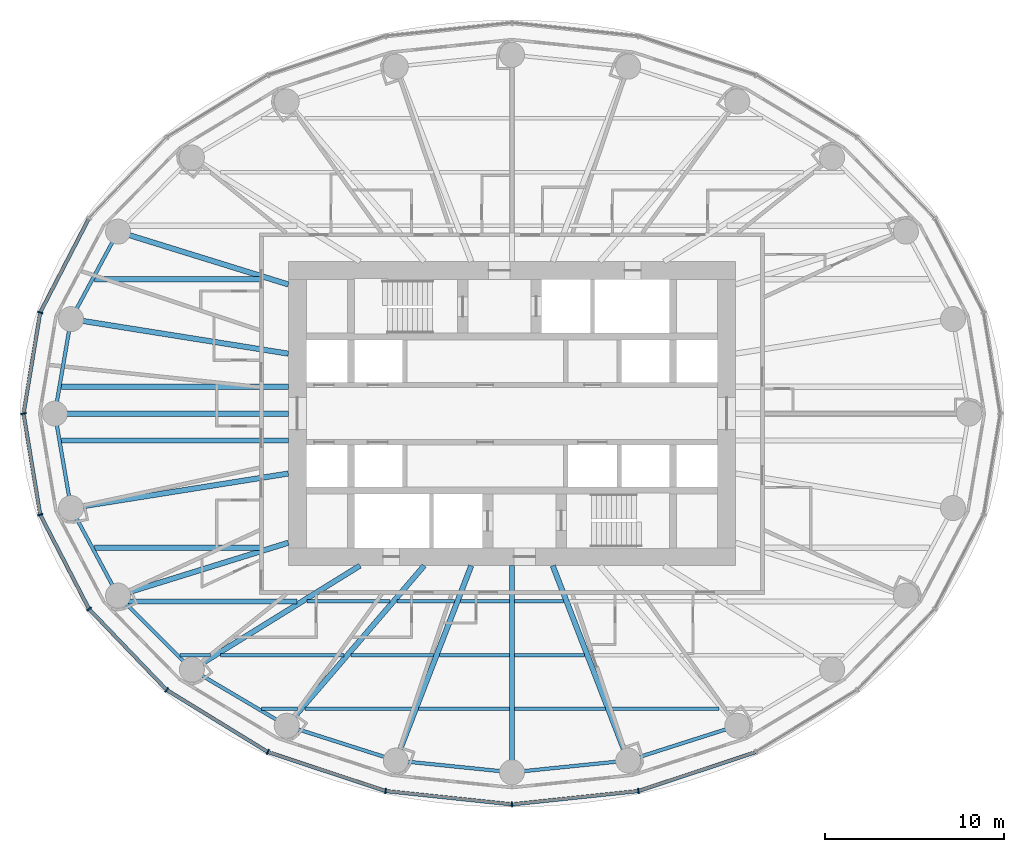
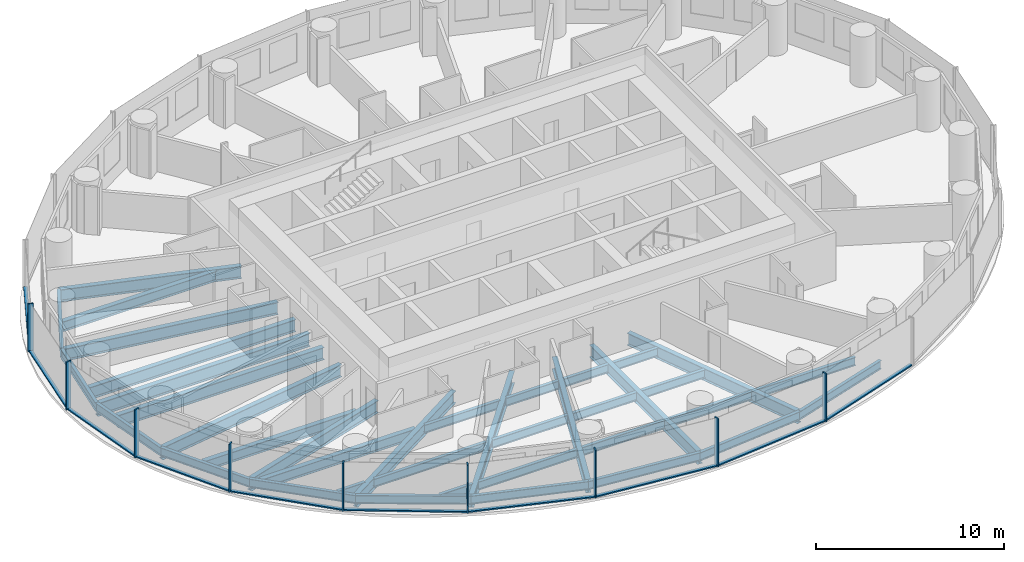
# One storey, part 2 of 13: 39 beams, 19 members, 3 elements without a shape of their own.
"""IFC4 building model written with IfcOpenShell, lengths in metres."""

from ifc_helpers import new_model, si_unit, direction, frame, origin, origin_2d, place, context, subcontext, project, spatial, rectangle, i_section, extrude, material, material_profile, profile_set, type_object, element, aggregate, save


model = new_model("IFC4")

# Units and contexts
model_context = context("Model", 3, precision=1e-05, world=origin(), true_north=direction((0.0, 1.0)))
body_context = subcontext(model_context, "Body", "Model", "MODEL_VIEW")
ifc_project = project(units=[si_unit("LENGTHUNIT", "METRE"), si_unit("AREAUNIT", "SQUARE_METRE"), si_unit("VOLUMEUNIT", "CUBIC_METRE"), si_unit("PLANEANGLEUNIT", "RADIAN"), si_unit("MASSUNIT", "GRAM", prefix="KILO")], contexts=[model_context])

# Site, building, storey
site_placement = place(None, origin())
site = spatial("IfcSite", under=ifc_project, at=site_placement, CompositionType="ELEMENT")
building_placement = place(site_placement, origin())
building = spatial("IfcBuilding", under=site, at=building_placement, Name="Hankou Lantern Tower", CompositionType="ELEMENT")
storey_placement = place(building_placement, frame((0.0, 0.0, 83.699951171875)))
storey = spatial("IfcBuildingStorey", under=building, at=storey_placement, Name="L21", CompositionType="ELEMENT", Elevation=83.699951171875)

# Beams
ifc_material_1 = material(Name="Steel Q355B", Category="steel")
ifc_material_profile_1 = material_profile(ifc_material_1, i_section(OverallWidth=0.199951171875, OverallDepth=0.550048828125, WebThickness=0.010009765625, FlangeThickness=0.01611328125, FilletRadius=0.012939453125, at=origin_2d()), Name="HN550x200x10x16")
ifc_profile_set_1 = profile_set([ifc_material_profile_1], Name="Steel Q355B")
beam_type_1 = type_object("IfcBeamType", Name="EB6 RING BEAM HN550x200x10x16", PredefinedType="SPANDREL", material=ifc_profile_set_1)
beam_1_placement = place(storey_placement, frame((-22.01904296875, 10.170166015625, -0.454833984375), z_axis=(-0.473609096023, -0.880735161194, 0.0), x_axis=(0.880735161194, -0.473609096023, 0.0)))
element("IfcBeam", 1, at=beam_1_placement, inside=storey, type_object=beam_type_1, Name="Ring beam R11-R12 L21", PredefinedType="SPANDREL", context=body_context, shape_type="SweptSolid", body=[
    extrude(i_section(OverallWidth=0.199951171875, OverallDepth=0.550048828125, WebThickness=0.010009765625, FlangeThickness=0.01611328125, FilletRadius=0.012939453125, at=origin_2d()), origin(), (0.0, 0.0, 1.0), 5.548828125),
])
for number, where, z_axis, x_axis, name in (
    (2, (-24.64697265625, 5.283203125, -0.454833984375), (-0.168489691988, -0.985703415685, 0.0), (0.985703415685, -0.168489691988, 0.0), "Ring beam R12-R13 L21"),
    (3, (-25.550048828125, 0.0, -0.454833984375), (0.168489691988, -0.985703415685, 0.0), (0.985703415685, 0.168489691988, 0.0), "Ring beam R13-R14 L21"),
):
    element("IfcBeam", number, at=place(storey_placement, frame(where, z_axis=z_axis, x_axis=x_axis)), inside=storey, type_object=beam_type_1, Name=name, PredefinedType="SPANDREL", context=body_context, shape_type="SweptSolid", body=[
        extrude(i_section(OverallWidth=0.199951171875, OverallDepth=0.550048828125, WebThickness=0.010009765625, FlangeThickness=0.01611328125, FilletRadius=0.012939453125, at=origin_2d()), origin(), (0.0, 0.0, 1.0), 5.35986328125),
    ])
beam_2_placement = place(storey_placement, frame((-24.64697265625, -5.283203125, -0.454833984375), z_axis=(0.473609096023, -0.880735161194, 0.0), x_axis=(0.880735161194, 0.473609096023, 0.0)))
element("IfcBeam", 4, at=beam_2_placement, inside=storey, type_object=beam_type_1, Name="Ring beam R14-R15 L21", PredefinedType="SPANDREL", context=body_context, shape_type="SweptSolid", body=[
    extrude(i_section(OverallWidth=0.199951171875, OverallDepth=0.550048828125, WebThickness=0.010009765625, FlangeThickness=0.01611328125, FilletRadius=0.012939453125, at=origin_2d()), origin(), (0.0, 0.0, 1.0), 5.548828125),
])
beam_3_placement = place(storey_placement, frame((-22.01904296875, -10.170166015625, -0.454833984375), z_axis=(0.705727798394, -0.708483079949, 0.0), x_axis=(0.708483079949, 0.705727798394, 0.0)))
element("IfcBeam", 5, at=beam_3_placement, inside=storey, type_object=beam_type_1, Name="Ring beam R15-R16 L21", PredefinedType="SPANDREL", context=body_context, shape_type="SweptSolid", body=[
    extrude(i_section(OverallWidth=0.199951171875, OverallDepth=0.550048828125, WebThickness=0.010009765625, FlangeThickness=0.01611328125, FilletRadius=0.012939453125, at=origin_2d()), origin(), (0.0, 0.0, 1.0), 5.84814453125),
])
beam_4_placement = place(storey_placement, frame((-17.891845703125, -14.3134765625, -0.454833984375), z_axis=(0.860881533543, -0.508805449268, 0.0), x_axis=(0.508805449268, 0.860881533543, 0.0)))
element("IfcBeam", 6, at=beam_4_placement, inside=storey, type_object=beam_type_1, Name="Ring beam R16-R17 L21", PredefinedType="SPANDREL", context=body_context, shape_type="SweptSolid", body=[
    extrude(i_section(OverallWidth=0.199951171875, OverallDepth=0.550048828125, WebThickness=0.010009765625, FlangeThickness=0.01611328125, FilletRadius=0.012939453125, at=origin_2d()), origin(), (0.0, 0.0, 1.0), 6.15771484375),
])
beam_5_placement = place(storey_placement, frame((-12.5908203125, -17.446533203125, -0.454833984375), z_axis=(0.952690479428, -0.303942182671, 0.0), x_axis=(0.303942182671, 0.952690479428, 0.0)))
element("IfcBeam", 7, at=beam_5_placement, inside=storey, type_object=beam_type_1, Name="Ring beam R17-R18 L21", PredefinedType="SPANDREL", context=body_context, shape_type="SweptSolid", body=[
    extrude(i_section(OverallWidth=0.199951171875, OverallDepth=0.550048828125, WebThickness=0.010009765625, FlangeThickness=0.01611328125, FilletRadius=0.012939453125, at=origin_2d()), origin(), (0.0, 0.0, 1.0), 6.398681640625),
])
for number, where, z_axis, x_axis, name in (
    (8, (-6.494873046875, -19.391357421875, -0.454833984375), (0.994896616842, -0.100899562915, 0.0), (0.100899562915, 0.994896616842, 0.0), "Ring beam R18-R19 L21"),
    (9, (0.0, -20.050048828125, -0.454833984375), (0.994896616842, 0.100899562915, 0.0), (-0.100899562915, 0.994896616842, 0.0), "Ring beam R19-R20 L21"),
):
    element("IfcBeam", number, at=place(storey_placement, frame(where, z_axis=z_axis, x_axis=x_axis)), inside=storey, type_object=beam_type_1, Name=name, PredefinedType="SPANDREL", context=body_context, shape_type="SweptSolid", body=[
        extrude(i_section(OverallWidth=0.199951171875, OverallDepth=0.550048828125, WebThickness=0.010009765625, FlangeThickness=0.01611328125, FilletRadius=0.012939453125, at=origin_2d()), origin(), (0.0, 0.0, 1.0), 6.528076171875),
    ])
beam_6_placement = place(storey_placement, frame((6.494873046875, -19.391357421875, -0.454833984375), z_axis=(0.952690479428, 0.303942182671, 0.0), x_axis=(-0.303942182671, 0.952690479428, 0.0)))
element("IfcBeam", 10, at=beam_6_placement, inside=storey, type_object=beam_type_1, Name="Ring beam R20-R21 L21", PredefinedType="SPANDREL", context=body_context, shape_type="SweptSolid", body=[
    extrude(i_section(OverallWidth=0.199951171875, OverallDepth=0.550048828125, WebThickness=0.010009765625, FlangeThickness=0.01611328125, FilletRadius=0.012939453125, at=origin_2d()), origin(), (0.0, 0.0, 1.0), 6.398681640625),
])

# Curtain wall, member
ifc_material_2 = material(Name="Glass, dark grey tinted laminated", Category="glass")
curtain_wall_type = type_object("IfcCurtainWallType", Name="CWA OUTER SKIN LOW-RISE", PredefinedType="USERDEFINED", material=ifc_material_2)
curtain_wall_1_placement = place(storey_placement, origin())
curtain_wall_1 = element("IfcCurtainWall", 11, at=curtain_wall_1_placement, inside=storey, type_object=curtain_wall_type, Name="CWA L21 OS2", ObjectType="OUTER SKIN LOW-RISE", PredefinedType="USERDEFINED")
ifc_material_3 = material(Name="Aluminium, black anodised", Category="aluminium")
ifc_material_profile_2 = material_profile(ifc_material_3, rectangle(XDim=0.080078125, YDim=0.300048828125, at=origin_2d()), Name="MU1 80X300")
ifc_profile_set_2 = profile_set([ifc_material_profile_2], Name="Aluminium, black anodised")
member_type_1 = type_object("IfcMemberType", Name="MU1 OUTER SKIN MULLION 80X300", PredefinedType="MULLION", material=ifc_profile_set_2)
member_1_placement = place(storey_placement, frame((-26.369873046875, 5.652587890625, 0.0), z_axis=(0.0, 0.0, 1.0), x_axis=(-0.317595577365, -0.94822626479, 0.0)))
member_1 = element("IfcMember", 12, at=member_1_placement, type_object=member_type_1, Name="CWA mullion 6", PredefinedType="MULLION", context=body_context, shape_type="SweptSolid", body=[
    extrude(rectangle(XDim=0.080078125, YDim=0.300048828125, at=origin_2d()), origin(), (0.0, 0.0, 1.0), 3.1201171875),
])

# Curtain wall, members
curtain_wall_2_placement = place(storey_placement, origin())
curtain_wall_2 = element("IfcCurtainWall", 13, at=curtain_wall_2_placement, inside=storey, type_object=curtain_wall_type, Name="CWA L21 OS3", ObjectType="OUTER SKIN LOW-RISE", PredefinedType="USERDEFINED")
member_2_placement = place(storey_placement, frame((-27.300048828125, 0.0, 0.0), z_axis=(0.0, 0.0, 1.0), x_axis=(0.162381515188, -0.986728049427, 0.0)))
member_2 = element("IfcMember", 14, at=member_2_placement, type_object=member_type_1, Name="CWA mullion 1", PredefinedType="MULLION", context=body_context, shape_type="SweptSolid", body=[
    extrude(rectangle(XDim=0.080078125, YDim=0.300048828125, at=origin_2d()), origin(), (0.0, 0.0, 1.0), 3.1201171875),
])
member_3_placement = place(storey_placement, frame((-26.369873046875, -5.652587890625, 0.0), z_axis=(0.0, 0.0, 1.0), x_axis=(0.317595577365, -0.94822626479, 0.0)))
member_3 = element("IfcMember", 15, at=member_3_placement, type_object=member_type_1, Name="CWA mullion 2", PredefinedType="MULLION", context=body_context, shape_type="SweptSolid", body=[
    extrude(rectangle(XDim=0.080078125, YDim=0.300048828125, at=origin_2d()), origin(), (0.0, 0.0, 1.0), 3.1201171875),
])
member_4_placement = place(storey_placement, frame((-23.642578125, -10.919921875, 0.0), z_axis=(0.0, 0.0, 1.0), x_axis=(0.585205735974, -0.810884854084, 0.0)))
member_4 = element("IfcMember", 16, at=member_4_placement, type_object=member_type_1, Name="CWA mullion 3", PredefinedType="MULLION", context=body_context, shape_type="SweptSolid", body=[
    extrude(rectangle(XDim=0.080078125, YDim=0.300048828125, at=origin_2d()), origin(), (0.0, 0.0, 1.0), 3.1201171875),
])
member_5_placement = place(storey_placement, frame((-19.303955078125, -15.443115234375, 0.0), z_axis=(0.0, 0.0, 1.0), x_axis=(0.780868809444, -0.624695047553, 0.0)))
member_5 = element("IfcMember", 17, at=member_5_placement, type_object=member_type_1, Name="CWA mullion 4", PredefinedType="MULLION", context=body_context, shape_type="SweptSolid", body=[
    extrude(rectangle(XDim=0.080078125, YDim=0.300048828125, at=origin_2d()), origin(), (0.0, 0.0, 1.0), 3.1201171875),
])
member_6_placement = place(storey_placement, frame((-13.64990234375, -18.9140625, 0.0), z_axis=(0.0, 0.0, 1.0), x_axis=(0.907841299004, -0.419313934686, 0.0)))
member_6 = element("IfcMember", 18, at=member_6_placement, type_object=member_type_1, Name="CWA mullion 5", PredefinedType="MULLION", context=body_context, shape_type="SweptSolid", body=[
    extrude(rectangle(XDim=0.080078125, YDim=0.300048828125, at=origin_2d()), origin(), (0.0, 0.0, 1.0), 3.1201171875),
])
member_7_placement = place(storey_placement, frame((-7.065673828125, -21.095703125, 0.0), z_axis=(0.0, 0.0, 1.0), x_axis=(0.977787659625, -0.209597931016, 0.0)))
member_7 = element("IfcMember", 19, at=member_7_placement, type_object=member_type_1, Name="CWA mullion 6", PredefinedType="MULLION", context=body_context, shape_type="SweptSolid", body=[
    extrude(rectangle(XDim=0.080078125, YDim=0.300048828125, at=origin_2d()), origin(), (0.0, 0.0, 1.0), 3.1201171875),
])

curtain_wall_3_placement = place(storey_placement, origin())
curtain_wall_3 = element("IfcCurtainWall", 20, at=curtain_wall_3_placement, inside=storey, type_object=curtain_wall_type, Name="CWA L21 OS4", ObjectType="OUTER SKIN LOW-RISE", PredefinedType="USERDEFINED")
member_8_placement = place(storey_placement, frame((0.0, -21.840087890625, 0.0), z_axis=(0.0, 0.0, 1.0), x_axis=(0.994499359107, 0.104742659579, 0.0)))
member_8 = element("IfcMember", 21, at=member_8_placement, type_object=member_type_1, Name="CWA mullion 1", PredefinedType="MULLION", context=body_context, shape_type="SweptSolid", body=[
    extrude(rectangle(XDim=0.080078125, YDim=0.300048828125, at=origin_2d()), origin(), (0.0, 0.0, 1.0), 3.1201171875),
])
member_9_placement = place(storey_placement, frame((7.065673828125, -21.095703125, 0.0), z_axis=(0.0, 0.0, 1.0), x_axis=(0.977787659625, 0.209597931016, 0.0)))
member_9 = element("IfcMember", 22, at=member_9_placement, type_object=member_type_1, Name="CWA mullion 2", PredefinedType="MULLION", context=body_context, shape_type="SweptSolid", body=[
    extrude(rectangle(XDim=0.080078125, YDim=0.300048828125, at=origin_2d()), origin(), (0.0, 0.0, 1.0), 3.1201171875),
])

# Beams
ifc_material_4 = material(Name="Steel Q355B", Category="steel")
ifc_material_profile_3 = material_profile(ifc_material_4, i_section(OverallWidth=0.300048828125, OverallDepth=0.800048828125, WebThickness=0.013916015625, FlangeThickness=0.02587890625, FilletRadius=0.01806640625, at=origin_2d()), Name="HN800x300x14x26")
ifc_profile_set_3 = profile_set([ifc_material_profile_3], Name="Steel Q355B")
beam_type_2 = type_object("IfcBeamType", Name="RB11 RADIAL BEAM HN800x300x14x26", PredefinedType="BEAM", material=ifc_profile_set_3)
beam_7_placement = place(storey_placement, frame((-12.5, 7.216796875, -0.579833984375), z_axis=(-0.955087327755, 0.29632447817, 0.0), x_axis=(-0.29632447817, -0.955087327755, 0.0)))
element("IfcBeam", 23, at=beam_7_placement, inside=storey, type_object=beam_type_2, Name="Radial beam R11 L21", PredefinedType="BEAM", context=body_context, shape_type="SweptSolid", body=[
    extrude(i_section(OverallWidth=0.300048828125, OverallDepth=0.800048828125, WebThickness=0.013916015625, FlangeThickness=0.02587890625, FilletRadius=0.01806640625, at=origin_2d()), origin(), (0.0, 0.0, 1.0), 9.966552734375),
])
for number, where, z_axis, x_axis, name in (
    (24, (-12.5, 3.349365234375, -0.579833984375), (-0.987563081343, 0.157223281893, 0.0), (-0.157223281893, -0.987563081343, 0.0), "Radial beam R12 L21"),
    (25, (-12.5, -3.349365234375, -0.579833984375), (-0.987563081343, -0.157223281893, 0.0), (0.157223281893, -0.987563081343, 0.0), "Radial beam R14 L21"),
):
    element("IfcBeam", number, at=place(storey_placement, frame(where, z_axis=z_axis, x_axis=x_axis)), inside=storey, type_object=beam_type_2, Name=name, PredefinedType="BEAM", context=body_context, shape_type="SweptSolid", body=[
        extrude(i_section(OverallWidth=0.300048828125, OverallDepth=0.800048828125, WebThickness=0.013916015625, FlangeThickness=0.02587890625, FilletRadius=0.01806640625, at=origin_2d()), origin(), (0.0, 0.0, 1.0), 12.300048828125),
    ])
beam_8_placement = place(storey_placement, frame((-12.5, -7.216796875, -0.579833984375), z_axis=(-0.955087327755, -0.29632447817, 0.0), x_axis=(0.29632447817, -0.955087327755, 0.0)))
element("IfcBeam", 26, at=beam_8_placement, inside=storey, type_object=beam_type_2, Name="Radial beam R15 L21", PredefinedType="BEAM", context=body_context, shape_type="SweptSolid", body=[
    extrude(i_section(OverallWidth=0.300048828125, OverallDepth=0.800048828125, WebThickness=0.013916015625, FlangeThickness=0.02587890625, FilletRadius=0.01806640625, at=origin_2d()), origin(), (0.0, 0.0, 1.0), 9.966552734375),
])
beam_9_placement = place(storey_placement, frame((-8.5, -8.5, -0.579833984375), z_axis=(-0.850286343288, -0.526320372414, 0.0), x_axis=(0.526320372414, -0.850286343288, 0.0)))
element("IfcBeam", 27, at=beam_9_placement, inside=storey, type_object=beam_type_2, Name="Radial beam R16 L21", PredefinedType="BEAM", context=body_context, shape_type="SweptSolid", body=[
    extrude(i_section(OverallWidth=0.300048828125, OverallDepth=0.800048828125, WebThickness=0.013916015625, FlangeThickness=0.02587890625, FilletRadius=0.01806640625, at=origin_2d()), origin(), (0.0, 0.0, 1.0), 11.04541015625),
])
beam_10_placement = place(storey_placement, frame((-4.907470703125, -8.5, -0.579833984375), z_axis=(-0.651519061225, -0.758632264579, 0.0), x_axis=(0.758632264579, -0.651519061225, 0.0)))
element("IfcBeam", 28, at=beam_10_placement, inside=storey, type_object=beam_type_2, Name="Radial beam R17 L21", PredefinedType="BEAM", context=body_context, shape_type="SweptSolid", body=[
    extrude(i_section(OverallWidth=0.300048828125, OverallDepth=0.800048828125, WebThickness=0.013916015625, FlangeThickness=0.02587890625, FilletRadius=0.01806640625, at=origin_2d()), origin(), (0.0, 0.0, 1.0), 11.79296875),
])
beam_11_placement = place(storey_placement, frame((-2.277587890625, -8.5, -0.579833984375), z_axis=(-0.361089103374, -0.932531318201, 0.0), x_axis=(0.932531318201, -0.361089103374, 0.0)))
element("IfcBeam", 29, at=beam_11_placement, inside=storey, type_object=beam_type_2, Name="Radial beam R18 L21", PredefinedType="BEAM", context=body_context, shape_type="SweptSolid", body=[
    extrude(i_section(OverallWidth=0.300048828125, OverallDepth=0.800048828125, WebThickness=0.013916015625, FlangeThickness=0.02587890625, FilletRadius=0.01806640625, at=origin_2d()), origin(), (0.0, 0.0, 1.0), 11.679443359375),
])
beam_12_placement = place(storey_placement, frame((0.0, -8.5, -0.579833984375), z_axis=(0.0, -1.0, 0.0), x_axis=(1.0, 0.0, 0.0)))
element("IfcBeam", 30, at=beam_12_placement, inside=storey, type_object=beam_type_2, Name="Radial beam R19 L21", PredefinedType="BEAM", context=body_context, shape_type="SweptSolid", body=[
    extrude(i_section(OverallWidth=0.300048828125, OverallDepth=0.800048828125, WebThickness=0.013916015625, FlangeThickness=0.02587890625, FilletRadius=0.01806640625, at=origin_2d()), origin(), (0.0, 0.0, 1.0), 11.550048828125),
])
beam_13_placement = place(storey_placement, frame((2.277587890625, -8.5, -0.579833984375), z_axis=(0.361089103374, -0.932531318201, 0.0), x_axis=(0.932531318201, 0.361089103374, 0.0)))
element("IfcBeam", 31, at=beam_13_placement, inside=storey, type_object=beam_type_2, Name="Radial beam R20 L21", PredefinedType="BEAM", context=body_context, shape_type="SweptSolid", body=[
    extrude(i_section(OverallWidth=0.300048828125, OverallDepth=0.800048828125, WebThickness=0.013916015625, FlangeThickness=0.02587890625, FilletRadius=0.01806640625, at=origin_2d()), origin(), (0.0, 0.0, 1.0), 11.679443359375),
])
ifc_material_5 = material(Name="Steel Q355B", Category="steel")
ifc_material_profile_4 = material_profile(ifc_material_5, i_section(OverallWidth=0.300048828125, OverallDepth=0.85009765625, WebThickness=0.01611328125, FlangeThickness=0.027099609375, FilletRadius=0.01806640625, at=origin_2d()), Name="HN850x300x16x27")
ifc_profile_set_4 = profile_set([ifc_material_profile_4], Name="Steel Q355B")
beam_type_3 = type_object("IfcBeamType", Name="RB12 RADIAL BEAM HN850x300x16x27", PredefinedType="BEAM", material=ifc_profile_set_4)
beam_14_placement = place(storey_placement, frame((-12.5, 0.0, -0.60498046875), z_axis=(-1.0, 0.0, 0.0), x_axis=(0.0, -1.0, 0.0)))
element("IfcBeam", 32, at=beam_14_placement, inside=storey, type_object=beam_type_3, Name="Radial beam R13 L21", PredefinedType="BEAM", context=body_context, shape_type="SweptSolid", body=[
    extrude(i_section(OverallWidth=0.300048828125, OverallDepth=0.85009765625, WebThickness=0.01611328125, FlangeThickness=0.027099609375, FilletRadius=0.01806640625, at=origin_2d()), origin(), (0.0, 0.0, 1.0), 13.050048828125),
])
ifc_material_6 = material(Name="Steel Q355B", Category="steel")
ifc_material_profile_5 = material_profile(ifc_material_6, i_section(OverallWidth=0.300048828125, OverallDepth=0.800048828125, WebThickness=0.013916015625, FlangeThickness=0.02587890625, FilletRadius=0.01806640625, at=origin_2d()), Name="HN800x300x14x26")
ifc_profile_set_5 = profile_set([ifc_material_profile_5], Name="Steel Q355B")
beam_type_4 = type_object("IfcBeamType", Name="SB11 SECONDARY BEAM HN800x300x14x26", PredefinedType="JOIST", material=ifc_profile_set_5)
for number, where, z_axis, x_axis, name in (
    (33, (-25.192138671875, -1.5, -0.579833984375), (1.0, 0.0, 0.0), (0.0, 1.0, 0.0), "Floor joist J029 L21"),
    (34, (-25.192138671875, 1.5, -0.579833984375), (1.0, 0.0, 0.0), (0.0, 1.0, 0.0), "Floor joist J031 L21"),
):
    element("IfcBeam", number, at=place(storey_placement, frame(where, z_axis=z_axis, x_axis=x_axis)), inside=storey, type_object=beam_type_4, Name=name, PredefinedType="JOIST", context=body_context, shape_type="SweptSolid", body=[
        extrude(i_section(OverallWidth=0.300048828125, OverallDepth=0.800048828125, WebThickness=0.013916015625, FlangeThickness=0.02587890625, FilletRadius=0.01806640625, at=origin_2d()), origin(), (0.0, 0.0, 1.0), 12.692138671875),
    ])
ifc_material_7 = material(Name="Steel Q355B", Category="steel")
ifc_material_profile_6 = material_profile(ifc_material_7, i_section(OverallWidth=0.199951171875, OverallDepth=0.550048828125, WebThickness=0.010009765625, FlangeThickness=0.01611328125, FilletRadius=0.012939453125, at=origin_2d()), Name="HN550x200x10x16")
ifc_profile_set_6 = profile_set([ifc_material_profile_6], Name="Steel Q355B")
beam_type_5 = type_object("IfcBeamType", Name="SB6 SECONDARY BEAM HN550x200x10x16", PredefinedType="JOIST", material=ifc_profile_set_6)
beam_15_placement = place(storey_placement, frame((-13.99560546875, -16.5, -0.454833984375), z_axis=(1.0, 0.0, 0.0), x_axis=(0.0, 1.0, 0.0)))
element("IfcBeam", 35, at=beam_15_placement, inside=storey, type_object=beam_type_5, Name="Floor joist J001 L21", PredefinedType="JOIST", context=body_context, shape_type="SweptSolid", body=[
    extrude(i_section(OverallWidth=0.199951171875, OverallDepth=0.550048828125, WebThickness=0.010009765625, FlangeThickness=0.01611328125, FilletRadius=0.012939453125, at=origin_2d()), origin(), (0.0, 0.0, 1.0), 2.019775390625),
])
beam_16_placement = place(storey_placement, frame((-11.580322265625, -16.5, -0.454833984375), z_axis=(1.0, 0.0, 0.0), x_axis=(0.0, 1.0, 0.0)))
element("IfcBeam", 36, at=beam_16_placement, inside=storey, type_object=beam_type_5, Name="Floor joist J002 L21", PredefinedType="JOIST", context=body_context, shape_type="SweptSolid", body=[
    extrude(i_section(OverallWidth=0.199951171875, OverallDepth=0.550048828125, WebThickness=0.010009765625, FlangeThickness=0.01611328125, FilletRadius=0.012939453125, at=origin_2d()), origin(), (0.0, 0.0, 1.0), 6.044189453125),
])
for number, where, z_axis, x_axis, name in (
    (37, (-5.21435546875, -16.5, -0.454833984375), (1.0, 0.0, 0.0), (0.0, 1.0, 0.0), "Floor joist J003 L21"),
    (38, (0.14990234375, -16.5, -0.454833984375), (1.0, 0.0, 0.0), (0.0, 1.0, 0.0), "Floor joist J004 L21"),
):
    element("IfcBeam", number, at=place(storey_placement, frame(where, z_axis=z_axis, x_axis=x_axis)), inside=storey, type_object=beam_type_5, Name=name, PredefinedType="JOIST", context=body_context, shape_type="SweptSolid", body=[
        extrude(i_section(OverallWidth=0.199951171875, OverallDepth=0.550048828125, WebThickness=0.010009765625, FlangeThickness=0.01611328125, FilletRadius=0.012939453125, at=origin_2d()), origin(), (0.0, 0.0, 1.0), 5.064453125),
    ])
beam_17_placement = place(storey_placement, frame((5.5361328125, -16.5, -0.454833984375), z_axis=(1.0, 0.0, 0.0), x_axis=(0.0, 1.0, 0.0)))
element("IfcBeam", 39, at=beam_17_placement, inside=storey, type_object=beam_type_5, Name="Floor joist J005 L21", PredefinedType="JOIST", context=body_context, shape_type="SweptSolid", body=[
    extrude(i_section(OverallWidth=0.199951171875, OverallDepth=0.550048828125, WebThickness=0.010009765625, FlangeThickness=0.01611328125, FilletRadius=0.012939453125, at=origin_2d()), origin(), (0.0, 0.0, 1.0), 6.044189453125),
])
beam_18_placement = place(storey_placement, frame((-18.560791015625, -13.5, -0.454833984375), z_axis=(1.0, 0.0, 0.0), x_axis=(0.0, 1.0, 0.0)))
element("IfcBeam", 40, at=beam_18_placement, inside=storey, type_object=beam_type_5, Name="Floor joist J007 L21", PredefinedType="JOIST", context=body_context, shape_type="SweptSolid", body=[
    extrude(i_section(OverallWidth=0.199951171875, OverallDepth=0.550048828125, WebThickness=0.010009765625, FlangeThickness=0.01611328125, FilletRadius=0.012939453125, at=origin_2d()), origin(), (0.0, 0.0, 1.0), 1.697998046875),
])
beam_19_placement = place(storey_placement, frame((-16.292724609375, -13.5, -0.454833984375), z_axis=(1.0, 0.0, 0.0), x_axis=(0.0, 1.0, 0.0)))
element("IfcBeam", 41, at=beam_19_placement, inside=storey, type_object=beam_type_5, Name="Floor joist J008 L21", PredefinedType="JOIST", context=body_context, shape_type="SweptSolid", body=[
    extrude(i_section(OverallWidth=0.199951171875, OverallDepth=0.550048828125, WebThickness=0.010009765625, FlangeThickness=0.01611328125, FilletRadius=0.012939453125, at=origin_2d()), origin(), (0.0, 0.0, 1.0), 6.893310546875),
])
beam_20_placement = place(storey_placement, frame((-9.00390625, -13.5, -0.454833984375), z_axis=(1.0, 0.0, 0.0), x_axis=(0.0, 1.0, 0.0)))
element("IfcBeam", 42, at=beam_20_placement, inside=storey, type_object=beam_type_5, Name="Floor joist J009 L21", PredefinedType="JOIST", context=body_context, shape_type="SweptSolid", body=[
    extrude(i_section(OverallWidth=0.199951171875, OverallDepth=0.550048828125, WebThickness=0.010009765625, FlangeThickness=0.01611328125, FilletRadius=0.012939453125, at=origin_2d()), origin(), (0.0, 0.0, 1.0), 4.62939453125),
])
for number, where, z_axis, x_axis, name in (
    (43, (-4.052734375, -13.5, -0.454833984375), (1.0, 0.0, 0.0), (0.0, 1.0, 0.0), "Floor joist J010 L21"),
    (44, (0.14990234375, -13.5, -0.454833984375), (1.0, 0.0, 0.0), (0.0, 1.0, 0.0), "Floor joist J011 L21"),
):
    element("IfcBeam", number, at=place(storey_placement, frame(where, z_axis=z_axis, x_axis=x_axis)), inside=storey, type_object=beam_type_5, Name=name, PredefinedType="JOIST", context=body_context, shape_type="SweptSolid", body=[
        extrude(i_section(OverallWidth=0.199951171875, OverallDepth=0.550048828125, WebThickness=0.010009765625, FlangeThickness=0.01611328125, FilletRadius=0.012939453125, at=origin_2d()), origin(), (0.0, 0.0, 1.0), 3.90283203125),
    ])
beam_21_placement = place(storey_placement, frame((-11.446044921875, -10.5, -0.454833984375), z_axis=(1.0, 0.0, 0.0), x_axis=(0.0, 1.0, 0.0)))
element("IfcBeam", 45, at=beam_21_placement, inside=storey, type_object=beam_type_5, Name="Floor joist J016 L21", PredefinedType="JOIST", context=body_context, shape_type="SweptSolid", body=[
    extrude(i_section(OverallWidth=0.199951171875, OverallDepth=0.550048828125, WebThickness=0.010009765625, FlangeThickness=0.01611328125, FilletRadius=0.012939453125, at=origin_2d()), origin(), (0.0, 0.0, 1.0), 4.623291015625),
])
beam_22_placement = place(storey_placement, frame((-6.427490234375, -10.5, -0.454833984375), z_axis=(1.0, 0.0, 0.0), x_axis=(0.0, 1.0, 0.0)))
element("IfcBeam", 46, at=beam_22_placement, inside=storey, type_object=beam_type_5, Name="Floor joist J017 L21", PredefinedType="JOIST", context=body_context, shape_type="SweptSolid", body=[
    extrude(i_section(OverallWidth=0.199951171875, OverallDepth=0.550048828125, WebThickness=0.010009765625, FlangeThickness=0.01611328125, FilletRadius=0.012939453125, at=origin_2d()), origin(), (0.0, 0.0, 1.0), 3.214599609375),
])
for number, where, z_axis, x_axis, name in (
    (47, (-2.89111328125, -10.5, -0.454833984375), (1.0, 0.0, 0.0), (0.0, 1.0, 0.0), "Floor joist J018 L21"),
    (48, (0.14990234375, -10.5, -0.454833984375), (1.0, 0.0, 0.0), (0.0, 1.0, 0.0), "Floor joist J019 L21"),
):
    element("IfcBeam", number, at=place(storey_placement, frame(where, z_axis=z_axis, x_axis=x_axis)), inside=storey, type_object=beam_type_5, Name=name, PredefinedType="JOIST", context=body_context, shape_type="SweptSolid", body=[
        extrude(i_section(OverallWidth=0.199951171875, OverallDepth=0.550048828125, WebThickness=0.010009765625, FlangeThickness=0.01611328125, FilletRadius=0.012939453125, at=origin_2d()), origin(), (0.0, 0.0, 1.0), 2.7412109375),
    ])
ifc_material_8 = material(Name="Steel Q355B", Category="steel")
ifc_material_profile_7 = material_profile(ifc_material_8, i_section(OverallWidth=0.300048828125, OverallDepth=0.64990234375, WebThickness=0.010986328125, FlangeThickness=0.01708984375, FilletRadius=0.01806640625, at=origin_2d()), Name="HN650x300x11x17")
ifc_profile_set_7 = profile_set([ifc_material_profile_7], Name="Steel Q355B")
beam_type_6 = type_object("IfcBeamType", Name="SB8 SECONDARY BEAM HN650x300x11x17", PredefinedType="JOIST", material=ifc_profile_set_7)
beam_23_placement = place(storey_placement, frame((-21.54931640625, -10.5, -0.5048828125), z_axis=(1.0, 0.0, 0.0), x_axis=(0.0, 1.0, 0.0)))
element("IfcBeam", 49, at=beam_23_placement, inside=storey, type_object=beam_type_6, Name="Floor joist J015 L21", PredefinedType="JOIST", context=body_context, shape_type="SweptSolid", body=[
    extrude(i_section(OverallWidth=0.300048828125, OverallDepth=0.64990234375, WebThickness=0.010986328125, FlangeThickness=0.01708984375, FilletRadius=0.01806640625, at=origin_2d()), origin(), (0.0, 0.0, 1.0), 9.533203125),
])
for number, where, z_axis, x_axis, name in (
    (50, (-23.341552734375, -7.5, -0.5048828125), (1.0, 0.0, 0.0), (0.0, 1.0, 0.0), "Floor joist J023 L21"),
    (51, (-23.341552734375, 7.5, -0.5048828125), (1.0, 0.0, 0.0), (0.0, 1.0, 0.0), "Floor joist J037 L21"),
):
    element("IfcBeam", number, at=place(storey_placement, frame(where, z_axis=z_axis, x_axis=x_axis)), inside=storey, type_object=beam_type_6, Name=name, PredefinedType="JOIST", context=body_context, shape_type="SweptSolid", body=[
        extrude(i_section(OverallWidth=0.300048828125, OverallDepth=0.64990234375, WebThickness=0.010986328125, FlangeThickness=0.01708984375, FilletRadius=0.01806640625, at=origin_2d()), origin(), (0.0, 0.0, 1.0), 9.4228515625),
    ])

# Member
ifc_material_9 = material(Name="Aluminium, black anodised", Category="aluminium")
ifc_material_profile_8 = material_profile(ifc_material_9, rectangle(XDim=0.199951171875, YDim=0.080078125, at=origin_2d()), Name="TR1 200X80")
ifc_profile_set_8 = profile_set([ifc_material_profile_8], Name="Aluminium, black anodised")
member_type_2 = type_object("IfcMemberType", Name="TR1 OUTER SKIN TRANSOM 200X80", PredefinedType="USERDEFINED", material=ifc_profile_set_8)
member_10_placement = place(storey_placement, frame((-23.660888671875, 10.884521484375, 0.0400390625), z_axis=(-0.459786096495, -0.888029698529, 0.0), x_axis=(0.888029698529, -0.459786096495, 0.0)))
member_10 = element("IfcMember", 52, at=member_10_placement, type_object=member_type_2, Name="CWA transom 5", ObjectType="TRANSOM", PredefinedType="USERDEFINED", context=body_context, shape_type="SweptSolid", body=[
    extrude(rectangle(XDim=0.199951171875, YDim=0.080078125, at=origin_2d()), origin(), (0.0, 0.0, 1.0), 5.8515625),
])

member_11_placement = place(storey_placement, frame((-26.376220703125, 5.613037109375, 0.0400390625), z_axis=(-0.162387045529, -0.986727139307, 0.0), x_axis=(0.986727139307, -0.162387045529, 0.0)))
member_11 = element("IfcMember", 53, at=member_11_placement, type_object=member_type_2, Name="CWA transom 6", ObjectType="TRANSOM", PredefinedType="USERDEFINED", context=body_context, shape_type="SweptSolid", body=[
    extrude(rectangle(XDim=0.199951171875, YDim=0.080078125, at=origin_2d()), origin(), (0.0, 0.0, 1.0), 5.6484375),
])

aggregate(curtain_wall_1, [member_1, member_10, member_11])

member_12_placement = place(storey_placement, frame((-27.29345703125, -0.03955078125, 0.0400390625), z_axis=(0.162387045529, -0.986727139307, 0.0), x_axis=(0.986727139307, 0.162387045529, 0.0)))
member_12 = element("IfcMember", 54, at=member_12_placement, type_object=member_type_2, Name="CWA transom 1", ObjectType="TRANSOM", PredefinedType="USERDEFINED", context=body_context, shape_type="SweptSolid", body=[
    extrude(rectangle(XDim=0.199951171875, YDim=0.080078125, at=origin_2d()), origin(), (0.0, 0.0, 1.0), 5.6484375),
])

member_13_placement = place(storey_placement, frame((-26.351318359375, -5.688232421875, 0.0400390625), z_axis=(0.459786096495, -0.888029698529, 0.0), x_axis=(0.888029698529, 0.459786096495, 0.0)))
member_13 = element("IfcMember", 55, at=member_13_placement, type_object=member_type_2, Name="CWA transom 2", ObjectType="TRANSOM", PredefinedType="USERDEFINED", context=body_context, shape_type="SweptSolid", body=[
    extrude(rectangle(XDim=0.199951171875, YDim=0.080078125, at=origin_2d()), origin(), (0.0, 0.0, 1.0), 5.8515625),
])

member_14_placement = place(storey_placement, frame((-23.61474609375, -10.948974609375, 0.0400390625), z_axis=(0.692215537374, -0.721690827029, 0.0), x_axis=(0.721690827029, 0.692215537374, 0.0)))
member_14 = element("IfcMember", 56, at=member_14_placement, type_object=member_type_2, Name="CWA transom 3", ObjectType="TRANSOM", PredefinedType="USERDEFINED", context=body_context, shape_type="SweptSolid", body=[
    extrude(rectangle(XDim=0.199951171875, YDim=0.080078125, at=origin_2d()), origin(), (0.0, 0.0, 1.0), 6.187255859375),
])

member_15_placement = place(storey_placement, frame((-19.27001953125, -15.464111328125, 0.0400390625), z_axis=(0.85223969557, -0.523151508929, 0.0), x_axis=(0.523151508929, 0.85223969557, 0.0)))
member_15 = element("IfcMember", 57, at=member_15_placement, type_object=member_type_2, Name="CWA transom 4", ObjectType="TRANSOM", PredefinedType="USERDEFINED", context=body_context, shape_type="SweptSolid", body=[
    extrude(rectangle(XDim=0.199951171875, YDim=0.080078125, at=origin_2d()), origin(), (0.0, 0.0, 1.0), 6.554443359375),
])

member_16_placement = place(storey_placement, frame((-13.612060546875, -18.926513671875, 0.0400390625), z_axis=(0.949237318771, -0.314560825044, 0.0), x_axis=(0.314560825044, 0.949237318771, 0.0)))
member_16 = element("IfcMember", 58, at=member_16_placement, type_object=member_type_2, Name="CWA transom 5", ObjectType="TRANSOM", PredefinedType="USERDEFINED", context=body_context, shape_type="SweptSolid", body=[
    extrude(rectangle(XDim=0.199951171875, YDim=0.080078125, at=origin_2d()), origin(), (0.0, 0.0, 1.0), 6.8564453125),
])

member_17_placement = place(storey_placement, frame((-7.02587890625, -21.10009765625, 0.0400390625), z_axis=(0.994502215033, -0.104715539888, 0.0), x_axis=(0.104715539888, 0.994502215033, 0.0)))
member_17 = element("IfcMember", 59, at=member_17_placement, type_object=member_type_2, Name="CWA transom 6", ObjectType="TRANSOM", PredefinedType="USERDEFINED", context=body_context, shape_type="SweptSolid", body=[
    extrude(rectangle(XDim=0.199951171875, YDim=0.080078125, at=origin_2d()), origin(), (0.0, 0.0, 1.0), 7.024658203125),
])

aggregate(curtain_wall_2, [member_2, member_3, member_4, member_5, member_6, member_7, member_12, member_13, member_14, member_15, member_16, member_17])

member_18_placement = place(storey_placement, frame((0.039794921875, -21.835693359375, 0.0400390625), z_axis=(0.994502215033, 0.104715539888, 0.0), x_axis=(-0.104715539888, 0.994502215033, 0.0)))
member_18 = element("IfcMember", 60, at=member_18_placement, type_object=member_type_2, Name="CWA transom 1", ObjectType="TRANSOM", PredefinedType="USERDEFINED", context=body_context, shape_type="SweptSolid", body=[
    extrude(rectangle(XDim=0.199951171875, YDim=0.080078125, at=origin_2d()), origin(), (0.0, 0.0, 1.0), 7.024658203125),
])

member_19_placement = place(storey_placement, frame((7.103759765625, -21.083251953125, 0.0400390625), z_axis=(0.949237318771, 0.314560825044, 0.0), x_axis=(-0.314560825044, 0.949237318771, 0.0)))
member_19 = element("IfcMember", 61, at=member_19_placement, type_object=member_type_2, Name="CWA transom 2", ObjectType="TRANSOM", PredefinedType="USERDEFINED", context=body_context, shape_type="SweptSolid", body=[
    extrude(rectangle(XDim=0.199951171875, YDim=0.080078125, at=origin_2d()), origin(), (0.0, 0.0, 1.0), 6.8564453125),
])

aggregate(curtain_wall_3, [member_8, member_9, member_18, member_19])

save(model, "model.ifc")
